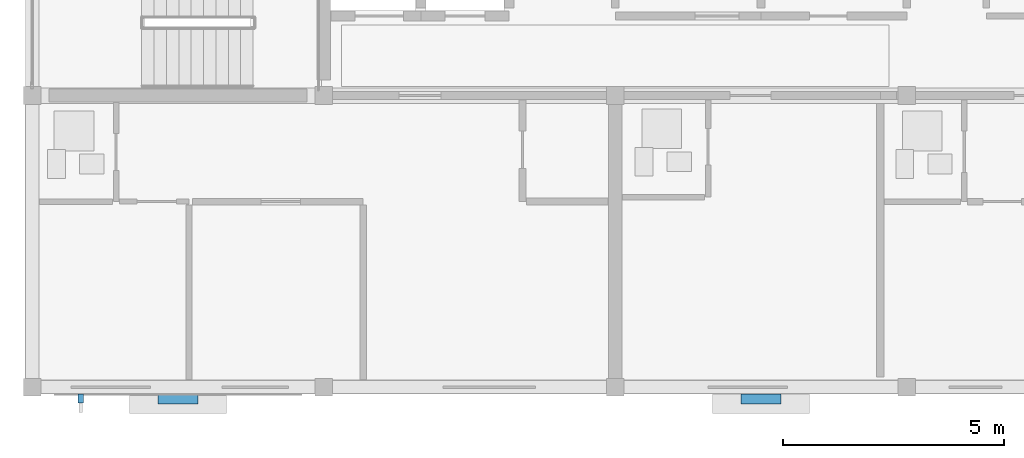
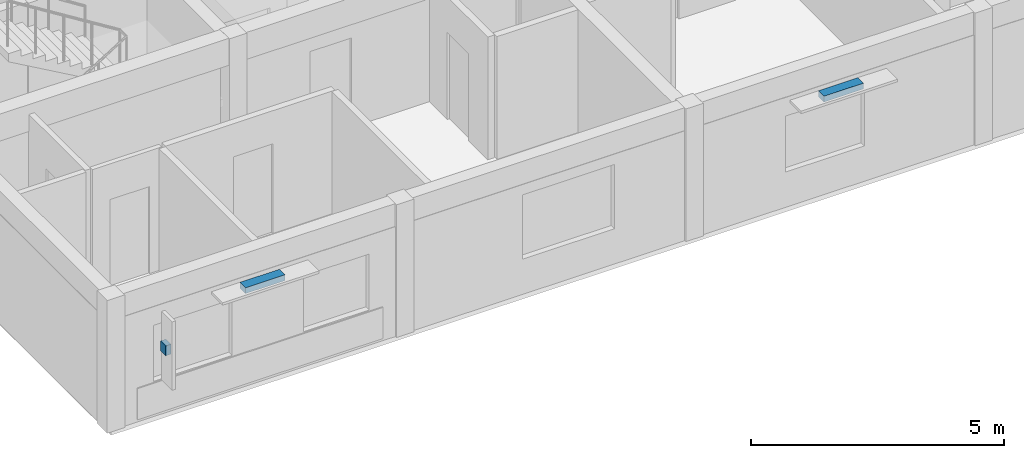
# One storey, part 43 of 53: 3 discrete accessories.
"""IFC4 building model written with IfcOpenShell, lengths in metres."""

from ifc_helpers import new_model, si_unit, direction, frame, origin, origin_2d, place, context, subcontext, project, spatial, rectangle, extrude, material, type_object, element, save


model = new_model("IFC4")

# Units and contexts
model_context = context("Model", 3, precision=1e-05, world=origin(), true_north=direction((0.0, 1.0)))
body_context = subcontext(model_context, "Body", "Model", "MODEL_VIEW")
ifc_project = project(units=[si_unit("LENGTHUNIT", "METRE"), si_unit("AREAUNIT", "SQUARE_METRE"), si_unit("VOLUMEUNIT", "CUBIC_METRE"), si_unit("PLANEANGLEUNIT", "RADIAN"), si_unit("MASSUNIT", "GRAM", prefix="KILO")], contexts=[model_context])

# Site, building, storey
site_placement = place(None, origin())
site = spatial("IfcSite", under=ifc_project, at=site_placement, CompositionType="ELEMENT")
building_placement = place(site_placement, origin())
building = spatial("IfcBuilding", under=site, at=building_placement, Name="Kernevlak Ridge Housing Community", CompositionType="ELEMENT")
storey_placement = place(building_placement, frame((0.0, 0.0, 18.0)))
storey = spatial("IfcBuildingStorey", under=building, at=storey_placement, Name="L05", CompositionType="ELEMENT", Elevation=18.0)

# Discrete accessories
ifc_material = material(Name="Steel S355 galvanised", Category="steel")
discrete_accessory_type = type_object("IfcDiscreteAccessoryType", Name="BK-01", PredefinedType="BRACKET", material=ifc_material)
discrete_accessory_1_placement = place(storey_placement, frame((18.89990234375, 15.330078125, 2.41015625), z_axis=(0.0, 0.0, 1.0), x_axis=(1.0, 0.0, 0.0)))
element("IfcDiscreteAccessory", 1, at=discrete_accessory_1_placement, inside=storey, type_object=discrete_accessory_type, Name="Sunshade steel bracket 41", PredefinedType="BRACKET", context=body_context, shape_type="SweptSolid", body=[
    extrude(rectangle(XDim=0.89990234375, YDim=0.219970703125, at=origin_2d()), origin(), (0.0, 0.0, 1.0), 0.139892578125),
])
discrete_accessory_2_placement = place(storey_placement, frame((16.699951171875, 15.340087890625, 1.52978515625), z_axis=(0.0, 0.0, 1.0), x_axis=(1.0, 0.0, 0.0)))
element("IfcDiscreteAccessory", 2, at=discrete_accessory_2_placement, inside=storey, type_object=discrete_accessory_type, Name="Vertical fin fixing bracket 41", PredefinedType="BRACKET", context=body_context, shape_type="SweptSolid", body=[
    extrude(rectangle(XDim=0.1201171875, YDim=0.199951171875, at=origin_2d()), origin(), (0.0, 0.0, 1.0), 0.239990234375),
])
discrete_accessory_3_placement = place(storey_placement, frame((32.10009765625, 15.330078125, 2.41015625), z_axis=(0.0, 0.0, 1.0), x_axis=(1.0, 0.0, 0.0)))
element("IfcDiscreteAccessory", 3, at=discrete_accessory_3_placement, inside=storey, type_object=discrete_accessory_type, Name="Sunshade steel bracket 42", PredefinedType="BRACKET", context=body_context, shape_type="SweptSolid", body=[
    extrude(rectangle(XDim=0.89990234375, YDim=0.219970703125, at=origin_2d()), origin(), (0.0, 0.0, 1.0), 0.139892578125),
])

save(model, "model.ifc")
